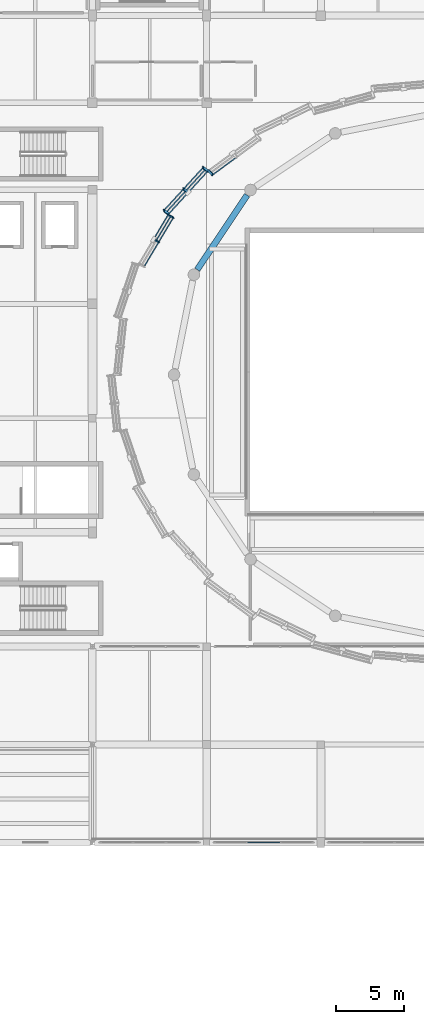
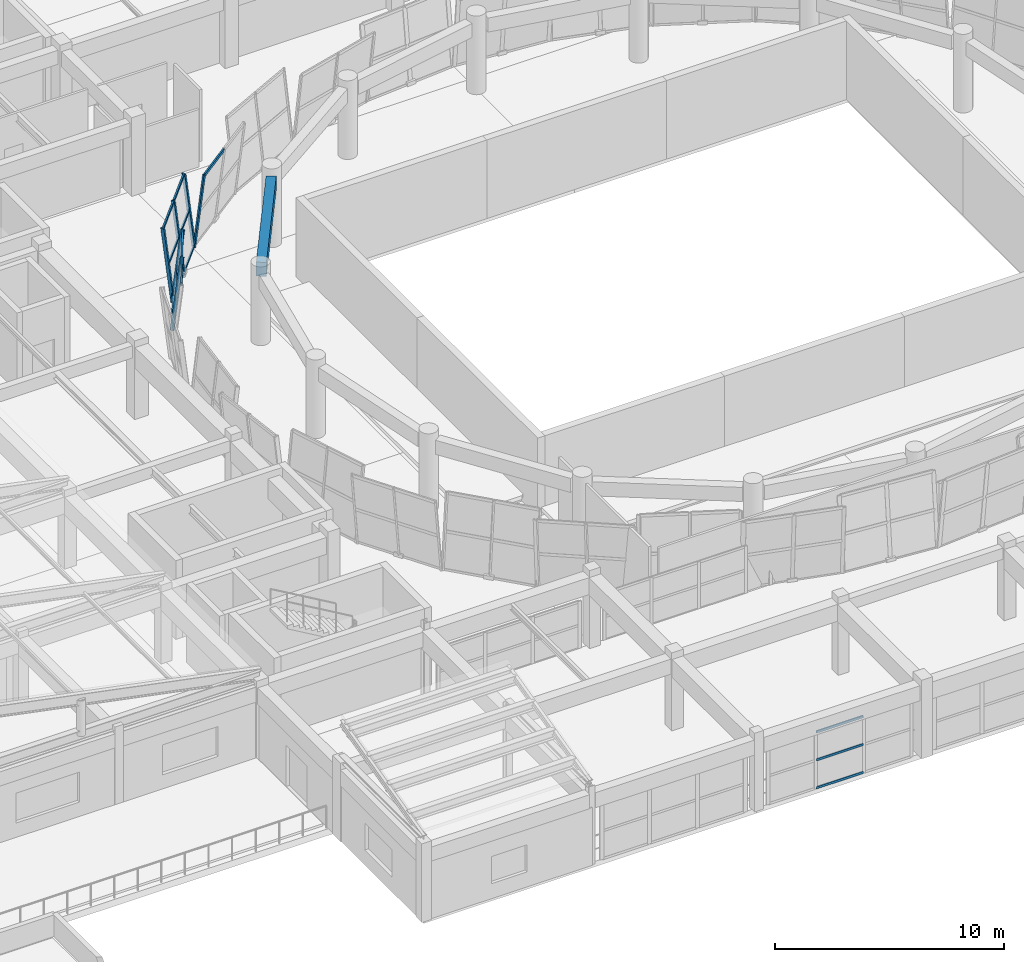
# One storey, part 14 of 74: 20 members, 1 beam, 4 elements without a shape of their own.
"""IFC4 building model written with IfcOpenShell, lengths in metres."""

from ifc_helpers import new_model, si_unit, direction, frame, origin, origin_2d, place, context, subcontext, project, spatial, rectangle, hollow_rectangle, extrude, material, material_profile, profile_set, type_object, element, aggregate, save


model = new_model("IFC4")

# Units and contexts
model_context = context("Model", 3, precision=1e-05, world=origin(), true_north=direction((0.0, 1.0)))
body_context = subcontext(model_context, "Body", "Model", "MODEL_VIEW")
ifc_project = project(units=[si_unit("LENGTHUNIT", "METRE"), si_unit("AREAUNIT", "SQUARE_METRE"), si_unit("VOLUMEUNIT", "CUBIC_METRE"), si_unit("PLANEANGLEUNIT", "RADIAN"), si_unit("MASSUNIT", "GRAM", prefix="KILO")], contexts=[model_context])

# Site, building, storey
site_placement = place(None, origin())
site = spatial("IfcSite", under=ifc_project, at=site_placement, CompositionType="ELEMENT")
building_placement = place(site_placement, origin())
building = spatial("IfcBuilding", under=site, at=building_placement, Name="Korsvaeld Concert Hall", CompositionType="ELEMENT")
storey_placement = place(building_placement, frame((0.0, 0.0, 9.0)))
storey = spatial("IfcBuildingStorey", under=building, at=storey_placement, Name="L02", CompositionType="ELEMENT", Elevation=9.0)

# Beam
ifc_material_1 = material(Name="Concrete C35/45", Category="concrete")
ifc_material_profile_1 = material_profile(ifc_material_1, rectangle(XDim=0.449951171875, YDim=0.75, at=origin_2d()), Name="RC 450x750")
ifc_profile_set_1 = profile_set([ifc_material_profile_1], Name="Concrete C35/45")
beam_type = type_object("IfcBeamType", Name="BM-RC-450x750", PredefinedType="T_BEAM", material=ifc_profile_set_1)
beam_placement = place(storey_placement, frame((70.173583984375, 76.40234375, 3.465087890625), z_axis=(-0.555571711953, -0.831468624109, 0.0), x_axis=(0.831468624109, -0.555571711953, 0.0)))
element("IfcBeam", 1, at=beam_placement, inside=storey, type_object=beam_type, Name="Drum ring floor girder L02 07", PredefinedType="T_BEAM", context=body_context, shape_type="SweptSolid", body=[
    extrude(rectangle(XDim=0.449951171875, YDim=0.75, at=origin_2d()), origin(), (0.0, 0.0, 1.0), 6.591552734375),
])

# Curtain wall, member
ifc_material_2 = material(Name="Anodised bronze and ceramic-fritted safety glass", Category="glass")
curtain_wall_type_1 = type_object("IfcCurtainWallType", Name="CW-TYPE-04", PredefinedType="USERDEFINED", material=ifc_material_2)
curtain_wall_1_placement = place(storey_placement, origin())
curtain_wall_1 = element("IfcCurtainWall", 2, at=curtain_wall_1_placement, inside=storey, type_object=curtain_wall_type_1, Name="Crystal curtain-wall facet L02 F12", ObjectType="CURTAIN WALL", PredefinedType="USERDEFINED")
ifc_material_3 = material(Name="Anodised architectural bronze aluminium", Category="aluminium")
ifc_material_profile_2 = material_profile(ifc_material_3, hollow_rectangle(XDim=0.074951171875, YDim=0.179931640625, WallThickness=0.0048828125, at=origin_2d()), Name="CWM 180x75x5")
ifc_profile_set_2 = profile_set([ifc_material_profile_2], Name="Anodised architectural bronze aluminium")
member_type_1 = type_object("IfcMemberType", Name="CWM-BRONZE-180x75", PredefinedType="MULLION", material=ifc_profile_set_2)
member_1_placement = place(storey_placement, frame((67.342529296875, 78.212890625, 0.0), z_axis=(0.076337242942, -0.083589593623, 0.993572043275), x_axis=(0.97747454033, -0.190371504957, -0.091116480989)))
member_1 = element("IfcMember", 3, at=member_1_placement, type_object=member_type_1, Name="CW-CRYS-L02-F12 crystal mullion 3", PredefinedType="MULLION", context=body_context, shape_type="SweptSolid", body=[
    extrude(hollow_rectangle(XDim=0.074951171875, YDim=0.179931640625, WallThickness=0.0048828125, at=origin_2d()), origin(), (0.0, 0.0, 1.0), 3.905029296875),
])

# Curtain wall, members
curtain_wall_type_2 = type_object("IfcCurtainWallType", Name="CW-TYPE-06", PredefinedType="USERDEFINED", material=ifc_material_2)
curtain_wall_2_placement = place(storey_placement, origin())
curtain_wall_2 = element("IfcCurtainWall", 4, at=curtain_wall_2_placement, inside=storey, type_object=curtain_wall_type_2, Name="Crystal curtain-wall facet L02 F14", ObjectType="CURTAIN WALL", PredefinedType="USERDEFINED")
member_2_placement = place(storey_placement, frame((64.358154296875, 74.94580078125, 0.0), z_axis=(0.102033449935, -0.04895354859, 0.993575726945), x_axis=(0.829810679162, 0.555036387008, -0.057869213275)))
member_2 = element("IfcMember", 5, at=member_2_placement, type_object=member_type_1, Name="CW-CRYS-L02-F14 crystal mullion 1", PredefinedType="MULLION", context=body_context, shape_type="SweptSolid", body=[
    extrude(hollow_rectangle(XDim=0.074951171875, YDim=0.179931640625, WallThickness=0.0048828125, at=origin_2d()), origin(), (0.0, 0.0, 1.0), 3.905029296875),
])
member_3_placement = place(storey_placement, frame((63.286865234375, 73.1455078125, 0.0), z_axis=(0.102033137454, -0.049015918973, 0.993572684079), x_axis=(0.830085566012, 0.554623769939, -0.057882872395)))
member_3 = element("IfcMember", 6, at=member_3_placement, type_object=member_type_1, Name="CW-CRYS-L02-F14 crystal mullion 2", PredefinedType="MULLION", context=body_context, shape_type="SweptSolid", body=[
    extrude(hollow_rectangle(XDim=0.074951171875, YDim=0.179931640625, WallThickness=0.0048828125, at=origin_2d()), origin(), (0.0, 0.0, 1.0), 3.905029296875),
])

curtain_wall_type_3 = type_object("IfcCurtainWallType", Name="CW-TYPE-05", PredefinedType="USERDEFINED", material=ifc_material_2)
curtain_wall_3_placement = place(storey_placement, origin())
curtain_wall_3 = element("IfcCurtainWall", 7, at=curtain_wall_3_placement, inside=storey, type_object=curtain_wall_type_3, Name="Crystal curtain-wall facet L02 F13", ObjectType="CURTAIN WALL", PredefinedType="USERDEFINED")
ifc_material_profile_3 = material_profile(ifc_material_3, hollow_rectangle(XDim=0.074951171875, YDim=0.219970703125, WallThickness=0.006103515625, at=origin_2d()), Name="CWM 220x75x6")
ifc_profile_set_3 = profile_set([ifc_material_profile_3], Name="Anodised architectural bronze aluminium")
member_type_2 = type_object("IfcMemberType", Name="CWM-BRONZE-220x75", PredefinedType="MULLION", material=ifc_profile_set_3)
member_4_placement = place(storey_placement, frame((67.287109375, 78.1630859375, 0.0), z_axis=(-0.091154397761, 0.067146655141, 0.993570431561), x_axis=(-0.977432414107, -0.196963442342, -0.076362806613)))
member_4 = element("IfcMember", 8, at=member_4_placement, type_object=member_type_2, Name="CW-CRYS-L02-F13 crystal mullion 1", PredefinedType="MULLION", context=body_context, shape_type="SweptSolid", body=[
    extrude(hollow_rectangle(XDim=0.074951171875, YDim=0.219970703125, WallThickness=0.006103515625, at=origin_2d()), origin(), (0.0, 0.0, 1.0), 3.905029296875),
])
member_5_placement = place(storey_placement, frame((65.8447265625, 76.58447265625, 0.0), z_axis=(-0.091092396556, 0.067147037681, 0.993576092013), x_axis=(-0.977499972004, -0.19664090034, -0.076329293496)))
member_5 = element("IfcMember", 9, at=member_5_placement, type_object=member_type_2, Name="CW-CRYS-L02-F13 crystal mullion 2", PredefinedType="MULLION", context=body_context, shape_type="SweptSolid", body=[
    extrude(hollow_rectangle(XDim=0.074951171875, YDim=0.219970703125, WallThickness=0.006103515625, at=origin_2d()), origin(), (0.0, 0.0, 1.0), 3.905029296875),
])
member_6_placement = place(storey_placement, frame((64.402587890625, 75.005859375, 0.0), z_axis=(-0.091092396556, 0.067147037681, 0.993576092013), x_axis=(-0.977499972004, -0.19664090034, -0.076329293496)))
member_6 = element("IfcMember", 10, at=member_6_placement, type_object=member_type_2, Name="CW-CRYS-L02-F13 crystal mullion 3", PredefinedType="MULLION", context=body_context, shape_type="SweptSolid", body=[
    extrude(hollow_rectangle(XDim=0.074951171875, YDim=0.219970703125, WallThickness=0.006103515625, at=origin_2d()), origin(), (0.0, 0.0, 1.0), 3.905029296875),
])

curtain_wall_type_4 = type_object("IfcCurtainWallType", Name="CW-TYPE-09", PredefinedType="USERDEFINED", material=ifc_material_2)
curtain_wall_4_placement = place(storey_placement, origin())
curtain_wall_4 = element("IfcCurtainWall", 11, at=curtain_wall_4_placement, inside=storey, type_object=curtain_wall_type_4, Name="Wintergarden foyer curtain wall L02-17", ObjectType="CURTAIN WALL", PredefinedType="USERDEFINED")
ifc_material_profile_4 = material_profile(ifc_material_3, hollow_rectangle(XDim=0.06005859375, YDim=0.1201171875, WallThickness=0.00390625, at=origin_2d()), Name="CWT 120x60x4")
ifc_profile_set_4 = profile_set([ifc_material_profile_4], Name="Anodised architectural bronze aluminium")
member_type_3 = type_object("IfcMemberType", Name="CWT-ALUM-120x60", PredefinedType="USERDEFINED", material=ifc_profile_set_4)
member_7_placement = place(storey_placement, frame((72.586669921875, 28.800048828125, 0.030029296875), z_axis=(-1.0, 0.0, 0.0), x_axis=(0.0, -1.0, 0.0)))
member_7 = element("IfcMember", 12, at=member_7_placement, type_object=member_type_3, Name="CW-09 transom 2.1", ObjectType="TRANSOM", PredefinedType="USERDEFINED", context=body_context, shape_type="SweptSolid", body=[
    extrude(hollow_rectangle(XDim=0.06005859375, YDim=0.1201171875, WallThickness=0.00390625, at=origin_2d()), origin(), (0.0, 0.0, 1.0), 2.373291015625),
])
member_8_placement = place(storey_placement, frame((72.586669921875, 28.800048828125, 1.52001953125), z_axis=(-1.0, 0.0, 0.0), x_axis=(0.0, -1.0, 0.0)))
member_8 = element("IfcMember", 13, at=member_8_placement, type_object=member_type_3, Name="CW-09 transom 2.2", ObjectType="TRANSOM", PredefinedType="USERDEFINED", context=body_context, shape_type="SweptSolid", body=[
    extrude(hollow_rectangle(XDim=0.06005859375, YDim=0.1201171875, WallThickness=0.00390625, at=origin_2d()), origin(), (0.0, 0.0, 1.0), 2.373291015625),
])
member_9_placement = place(storey_placement, frame((72.586669921875, 28.800048828125, 3.010009765625), z_axis=(-1.0, 0.0, 0.0), x_axis=(0.0, -1.0, 0.0)))
member_9 = element("IfcMember", 14, at=member_9_placement, type_object=member_type_3, Name="CW-09 transom 2.3", ObjectType="TRANSOM", PredefinedType="USERDEFINED", context=body_context, shape_type="SweptSolid", body=[
    extrude(hollow_rectangle(XDim=0.06005859375, YDim=0.1201171875, WallThickness=0.00390625, at=origin_2d()), origin(), (0.0, 0.0, 1.0), 2.373291015625),
])
aggregate(curtain_wall_4, [member_7, member_8, member_9])

# Member
ifc_material_profile_5 = material_profile(ifc_material_3, hollow_rectangle(XDim=0.074951171875, YDim=0.14990234375, WallThickness=0.0048828125, at=origin_2d()), Name="CWT 150x75x5")
ifc_profile_set_5 = profile_set([ifc_material_profile_5], Name="Anodised architectural bronze aluminium")
member_type_4 = type_object("IfcMemberType", Name="CWT-BRONZE-150x75", PredefinedType="USERDEFINED", material=ifc_profile_set_5)
member_10_placement = place(storey_placement, frame((69.365966796875, 79.162841796875, 3.85009765625), z_axis=(-0.804904507896, -0.593404358906, 0.0), x_axis=(0.593404358906, -0.804904507896, 0.0)))
member_10 = element("IfcMember", 15, at=member_10_placement, type_object=member_type_4, Name="CW-CRYS-L02-F12 crystal transom 2.3", ObjectType="TRANSOM", PredefinedType="USERDEFINED", context=body_context, shape_type="SweptSolid", body=[
    extrude(hollow_rectangle(XDim=0.074951171875, YDim=0.14990234375, WallThickness=0.0048828125, at=origin_2d()), origin(), (0.0, 0.0, 1.0), 2.10888671875),
])

aggregate(curtain_wall_1, [member_1, member_10])

member_11_placement = place(storey_placement, frame((67.259033203125, 78.137451171875, 0.030029296875), z_axis=(-0.674437681465, -0.738331777604, 0.0), x_axis=(0.738331777604, -0.674437681465, 0.0)))
member_11 = element("IfcMember", 16, at=member_11_placement, type_object=member_type_4, Name="CW-CRYS-L02-F13 crystal transom 1.1", ObjectType="TRANSOM", PredefinedType="USERDEFINED", context=body_context, shape_type="SweptSolid", body=[
    extrude(hollow_rectangle(XDim=0.074951171875, YDim=0.14990234375, WallThickness=0.0048828125, at=origin_2d()), origin(), (0.0, 0.0, 1.0), 2.063232421875),
])

member_12_placement = place(storey_placement, frame((67.083740234375, 78.2666015625, 1.93994140625), z_axis=(-0.674437681465, -0.738331777604, 0.0), x_axis=(0.738331777604, -0.674437681465, 0.0)))
member_12 = element("IfcMember", 17, at=member_12_placement, type_object=member_type_4, Name="CW-CRYS-L02-F13 crystal transom 1.2", ObjectType="TRANSOM", PredefinedType="USERDEFINED", context=body_context, shape_type="SweptSolid", body=[
    extrude(hollow_rectangle(XDim=0.074951171875, YDim=0.14990234375, WallThickness=0.0048828125, at=origin_2d()), origin(), (0.0, 0.0, 1.0), 2.063232421875),
])

member_13_placement = place(storey_placement, frame((66.90869140625, 78.3955078125, 3.85009765625), z_axis=(-0.674496604142, -0.738277949692, 0.0), x_axis=(0.738277949692, -0.674496604142, 0.0)))
member_13 = element("IfcMember", 18, at=member_13_placement, type_object=member_type_4, Name="CW-CRYS-L02-F13 crystal transom 1.3", ObjectType="TRANSOM", PredefinedType="USERDEFINED", context=body_context, shape_type="SweptSolid", body=[
    extrude(hollow_rectangle(XDim=0.074951171875, YDim=0.14990234375, WallThickness=0.0048828125, at=origin_2d()), origin(), (0.0, 0.0, 1.0), 2.063232421875),
])

member_14_placement = place(storey_placement, frame((65.816650390625, 76.558837890625, 0.030029296875), z_axis=(-0.674437681465, -0.738331777604, 0.0), x_axis=(0.738331777604, -0.674437681465, 0.0)))
member_14 = element("IfcMember", 19, at=member_14_placement, type_object=member_type_4, Name="CW-CRYS-L02-F13 crystal transom 2.1", ObjectType="TRANSOM", PredefinedType="USERDEFINED", context=body_context, shape_type="SweptSolid", body=[
    extrude(hollow_rectangle(XDim=0.074951171875, YDim=0.14990234375, WallThickness=0.0048828125, at=origin_2d()), origin(), (0.0, 0.0, 1.0), 2.063232421875),
])

member_15_placement = place(storey_placement, frame((65.6416015625, 76.68798828125, 1.93994140625), z_axis=(-0.674437681465, -0.738331777604, 0.0), x_axis=(0.738331777604, -0.674437681465, 0.0)))
member_15 = element("IfcMember", 20, at=member_15_placement, type_object=member_type_4, Name="CW-CRYS-L02-F13 crystal transom 2.2", ObjectType="TRANSOM", PredefinedType="USERDEFINED", context=body_context, shape_type="SweptSolid", body=[
    extrude(hollow_rectangle(XDim=0.074951171875, YDim=0.14990234375, WallThickness=0.0048828125, at=origin_2d()), origin(), (0.0, 0.0, 1.0), 2.063232421875),
])

member_16_placement = place(storey_placement, frame((65.46630859375, 76.81689453125, 3.85009765625), z_axis=(-0.674496604142, -0.738277949692, 0.0), x_axis=(0.738277949692, -0.674496604142, 0.0)))
member_16 = element("IfcMember", 21, at=member_16_placement, type_object=member_type_4, Name="CW-CRYS-L02-F13 crystal transom 2.3", ObjectType="TRANSOM", PredefinedType="USERDEFINED", context=body_context, shape_type="SweptSolid", body=[
    extrude(hollow_rectangle(XDim=0.074951171875, YDim=0.14990234375, WallThickness=0.0048828125, at=origin_2d()), origin(), (0.0, 0.0, 1.0), 2.063232421875),
])

aggregate(curtain_wall_3, [member_4, member_5, member_6, member_11, member_12, member_13, member_14, member_15, member_16])

member_17_placement = place(storey_placement, frame((64.342041015625, 74.912109375, 0.030029296875), z_axis=(-0.511381861684, -0.859353589357, 0.0), x_axis=(0.859353589357, -0.511381861684, 0.0)))
member_17 = element("IfcMember", 22, at=member_17_placement, type_object=member_type_4, Name="CW-CRYS-L02-F14 crystal transom 1.1", ObjectType="TRANSOM", PredefinedType="USERDEFINED", context=body_context, shape_type="SweptSolid", body=[
    extrude(hollow_rectangle(XDim=0.074951171875, YDim=0.14990234375, WallThickness=0.0048828125, at=origin_2d()), origin(), (0.0, 0.0, 1.0), 2.02001953125),
])

member_18_placement = place(storey_placement, frame((64.5380859375, 74.81787109375, 1.93994140625), z_axis=(-0.511292595627, -0.859406703288, 0.0), x_axis=(0.859406703288, -0.511292595627, 0.0)))
member_18 = element("IfcMember", 23, at=member_18_placement, type_object=member_type_4, Name="CW-CRYS-L02-F14 crystal transom 1.2", ObjectType="TRANSOM", PredefinedType="USERDEFINED", context=body_context, shape_type="SweptSolid", body=[
    extrude(hollow_rectangle(XDim=0.074951171875, YDim=0.14990234375, WallThickness=0.0048828125, at=origin_2d()), origin(), (0.0, 0.0, 1.0), 2.019775390625),
])

member_19_placement = place(storey_placement, frame((64.734375, 74.723876953125, 3.85009765625), z_axis=(-0.511328750939, -0.859385192136, 0.0), x_axis=(0.859385192136, -0.511328750939, 0.0)))
member_19 = element("IfcMember", 24, at=member_19_placement, type_object=member_type_4, Name="CW-CRYS-L02-F14 crystal transom 1.3", ObjectType="TRANSOM", PredefinedType="USERDEFINED", context=body_context, shape_type="SweptSolid", body=[
    extrude(hollow_rectangle(XDim=0.074951171875, YDim=0.14990234375, WallThickness=0.0048828125, at=origin_2d()), origin(), (0.0, 0.0, 1.0), 2.020263671875),
])

member_20_placement = place(storey_placement, frame((63.6630859375, 72.92333984375, 3.85009765625), z_axis=(-0.511381861684, -0.859353589357, 0.0), x_axis=(0.859353589357, -0.511381861684, 0.0)))
member_20 = element("IfcMember", 25, at=member_20_placement, type_object=member_type_4, Name="CW-CRYS-L02-F14 crystal transom 2.3", ObjectType="TRANSOM", PredefinedType="USERDEFINED", context=body_context, shape_type="SweptSolid", body=[
    extrude(hollow_rectangle(XDim=0.074951171875, YDim=0.14990234375, WallThickness=0.0048828125, at=origin_2d()), origin(), (0.0, 0.0, 1.0), 2.02001953125),
])

aggregate(curtain_wall_2, [member_2, member_3, member_17, member_18, member_19, member_20])

save(model, "model.ifc")
